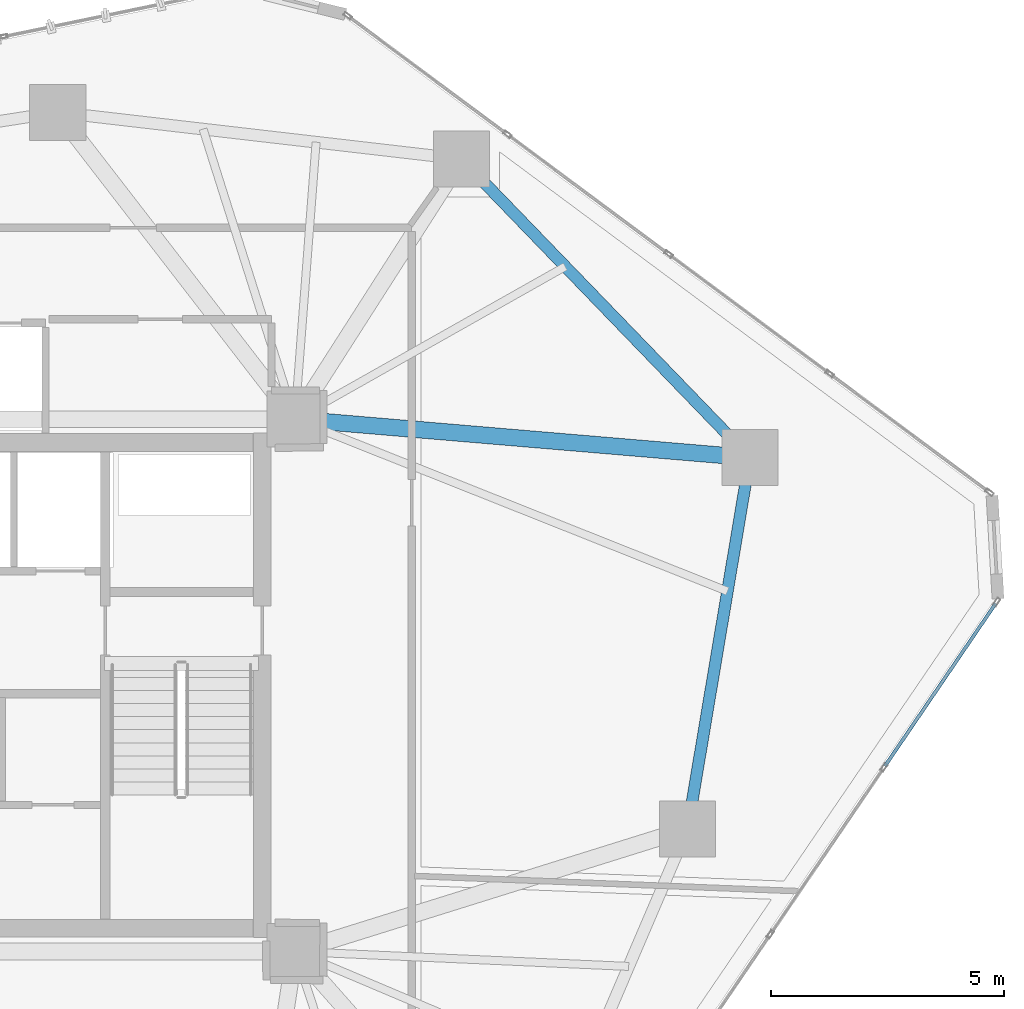
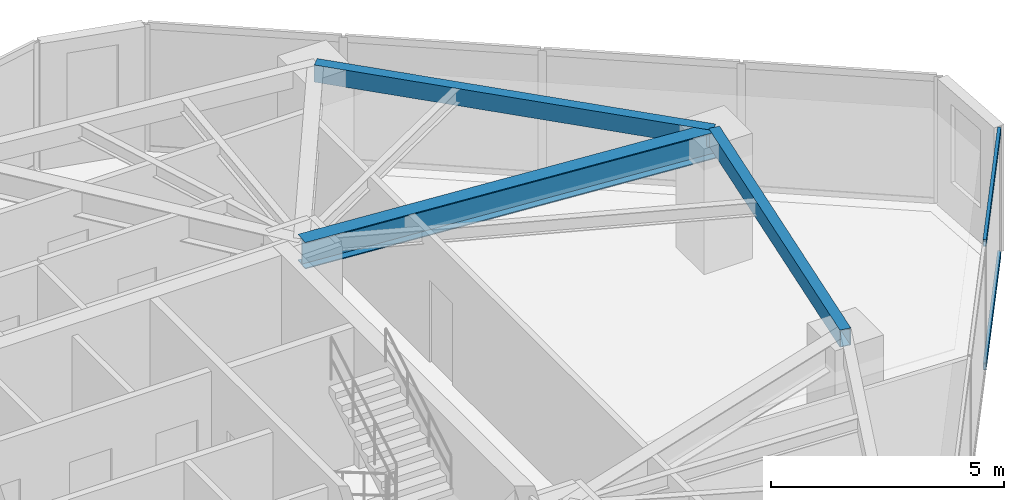
# One storey, part 12 of 22: 3 beams, 2 members, 1 element without a shape of its own.
"""IFC4 building model written with IfcOpenShell, lengths in metres."""

from ifc_helpers import new_model, si_unit, direction, frame, origin, origin_2d, place, context, subcontext, project, spatial, hollow_rectangle, i_section, extrude, source, transform, mapped, material, layer, layer_set, material_profile, profile_set, type_object, type_shapes, element, aggregate, save


model = new_model("IFC4")

# Units and contexts
model_context = context("Model", 3, precision=1e-05, world=origin(), true_north=direction((0.0, 1.0)))
body_context = subcontext(model_context, "Body", "Model", "MODEL_VIEW")
ifc_project = project(units=[si_unit("LENGTHUNIT", "METRE"), si_unit("AREAUNIT", "SQUARE_METRE"), si_unit("VOLUMEUNIT", "CUBIC_METRE"), si_unit("PLANEANGLEUNIT", "RADIAN"), si_unit("MASSUNIT", "GRAM", prefix="KILO")], contexts=[model_context])

# Site, building, storey
site_placement = place(None, origin())
site = spatial("IfcSite", under=ifc_project, at=site_placement, CompositionType="ELEMENT")
building_placement = place(site_placement, origin())
building = spatial("IfcBuilding", under=site, at=building_placement, Name="Talar Marvaseh", CompositionType="ELEMENT")
storey_placement = place(building_placement, frame((0.0, 0.0, 125.39990234375)))
storey = spatial("IfcBuildingStorey", under=building, at=storey_placement, Name="L32", CompositionType="ELEMENT", Elevation=125.39990234375)

# Beams
ifc_material_1 = material(Name="Steel S355", Category="steel")
ifc_material_profile_1 = material_profile(ifc_material_1, hollow_rectangle(XDim=0.25, YDim=0.449951171875, WallThickness=0.01611328125, at=origin_2d()), Name="RHS450x250x16")
ifc_profile_set_1 = profile_set([ifc_material_profile_1], Name="Steel S355")
beam_type_1 = type_object("IfcBeamType", Name="Zone 2 Perimeter Spandrel Beam RHS450x250x16", PredefinedType="SPANDREL", material=ifc_profile_set_1)
beam_1_placement = place(storey_placement, frame((36.865966796875, 42.470947265625, 3.085205078125), z_axis=(0.694796856243, -0.719206040405, 0.0), x_axis=(0.719206040405, 0.694796856243, 0.0)))
element("IfcBeam", 1, at=beam_1_placement, inside=storey, type_object=beam_type_1, Name="L32 Zone 2 Perimeter Spandrel Beam RHS450x250x16", PredefinedType="SPANDREL", context=body_context, shape_type="SweptSolid", body=[
    extrude(hollow_rectangle(XDim=0.25, YDim=0.449951171875, WallThickness=0.01611328125, at=origin_2d()), origin(), (0.0, 0.0, 1.0), 8.891845703125),
])
beam_2_placement = place(storey_placement, frame((43.0439453125, 36.075927734375, 3.085205078125), z_axis=(-0.165641685249, -0.986186002795, 0.0), x_axis=(0.986186002795, -0.165641685249, 0.0)))
element("IfcBeam", 2, at=beam_2_placement, inside=storey, type_object=beam_type_1, Name="L32 Zone 2 Perimeter Spandrel Beam RHS450x250x16", PredefinedType="SPANDREL", context=body_context, shape_type="SweptSolid", body=[
    extrude(hollow_rectangle(XDim=0.25, YDim=0.449951171875, WallThickness=0.01611328125, at=origin_2d()), origin(), (0.0, 0.0, 1.0), 8.059326171875),
])
ifc_material_profile_2 = material_profile(ifc_material_1, i_section(OverallWidth=0.35498046875, OverallDepth=0.695068359375, WebThickness=0.015380859375, FlangeThickness=0.02490234375, at=origin_2d()), Name="W690x217")
ifc_profile_set_2 = profile_set([ifc_material_profile_2], Name="Steel S355")
beam_type_2 = type_object("IfcBeamType", Name="Zone 2 Radial Floor Girder W690x217", PredefinedType="BEAM", material=ifc_profile_set_2)
beam_3_placement = place(storey_placement, frame((43.0439453125, 36.075927734375, 2.962646484375), z_axis=(-0.996443598923, 0.084262412527, 0.0), x_axis=(-0.084262412527, -0.996443598923, 0.0)))
element("IfcBeam", 3, at=beam_3_placement, inside=storey, type_object=beam_type_2, Name="L32 Zone 2 Radial Floor Girder W690x217", PredefinedType="BEAM", context=body_context, shape_type="SweptSolid", body=[
    extrude(i_section(OverallWidth=0.35498046875, OverallDepth=0.695068359375, WebThickness=0.015380859375, FlangeThickness=0.02490234375, at=origin_2d()), origin(), (0.0, 0.0, 1.0), 9.778564453125),
])

# Curtain wall, members
ifc_material_2 = material(Name="Architectural Aluminium", Category="aluminium")
ifc_layer = layer(ifc_material_2, 0.199951171875)
ifc_layer_set = layer_set([ifc_layer], Name="Architectural Aluminium")
curtain_wall_type = type_object("IfcCurtainWallType", Name="Unitised Acoustic Library Curtain Wall Z2", PredefinedType="NOTDEFINED", material=ifc_layer_set)
curtain_wall_placement = place(storey_placement, origin())
curtain_wall = element("IfcCurtainWall", 4, at=curtain_wall_placement, inside=storey, type_object=curtain_wall_type, Name="L32 Unitised Acoustic Library Curtain Wall Z2", PredefinedType="NOTDEFINED")
ifc_material_profile_3 = material_profile(ifc_material_2, hollow_rectangle(XDim=0.074951171875, YDim=0.179931640625, WallThickness=0.0048828125, at=origin_2d()), Name="RHS180x75x5")
ifc_profile_set_3 = profile_set([ifc_material_profile_3], Name="Architectural Aluminium")
member_type = type_object("IfcMemberType", Name="Unitised Curtain Wall Transom RHS180x75x5", PredefinedType="USERDEFINED", material=ifc_profile_set_3)
shared_shape = source(origin(), body_context, "Body", "SweptSolid", [
    extrude(hollow_rectangle(XDim=0.074951171875, YDim=0.179931640625, WallThickness=0.0048828125, at=origin_2d()), origin(), (0.0, 0.0, 1.0), 4.211181640625),
])
type_shapes(member_type, [shared_shape])
member_1_placement = place(storey_placement, frame((48.3056640625, 32.951904296875, 0.03759765625), z_axis=(-0.562940990106, -0.826497091138, 0.0), x_axis=(0.826497091138, -0.562940990106, 0.0)))
member_1 = element("IfcMember", 5, at=member_1_placement, type_object=member_type, Name="CW-Z2 transom 1.1", ObjectType="TRANSOM", PredefinedType="USERDEFINED", context=body_context, shape_type="MappedRepresentation", body=[
    mapped(shared_shape, transform((0.0, 0.0, 0.0), x_axis=(1.0, 0.0, 0.0), y_axis=(0.0, 1.0, 0.0), z_axis=(0.0, 0.0, 1.0), scale=1.0)),
])
member_2_placement = place(storey_placement, frame((48.3056640625, 32.951904296875, 3.272705078125), z_axis=(-0.562940990106, -0.826497091138, 0.0), x_axis=(0.826497091138, -0.562940990106, 0.0)))
member_2 = element("IfcMember", 6, at=member_2_placement, type_object=member_type, Name="CW-Z2 transom 1.2", ObjectType="TRANSOM", PredefinedType="USERDEFINED", context=body_context, shape_type="MappedRepresentation", body=[
    mapped(shared_shape, transform((0.0, 0.0, 0.0), x_axis=(1.0, 0.0, 0.0), y_axis=(0.0, 1.0, 0.0), z_axis=(0.0, 0.0, 1.0), scale=1.0)),
])
aggregate(curtain_wall, [member_1, member_2])

save(model, "model.ifc")
